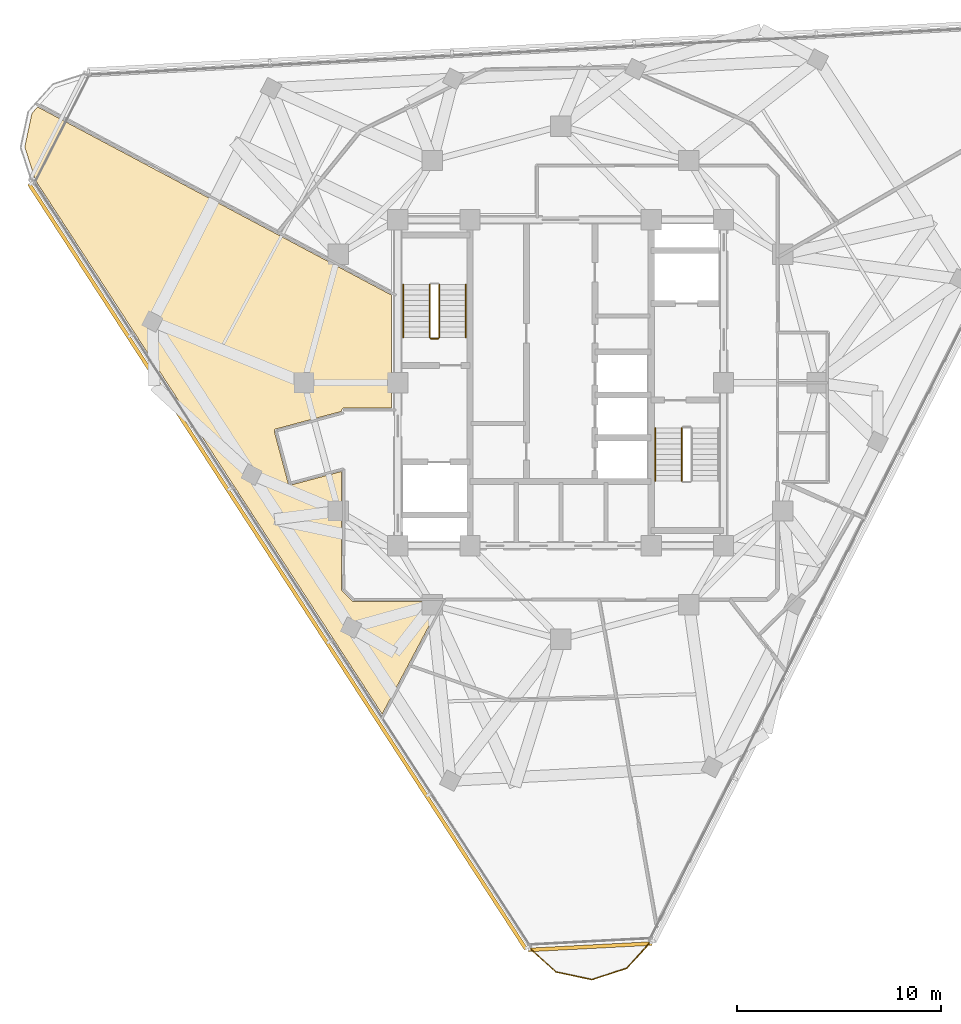
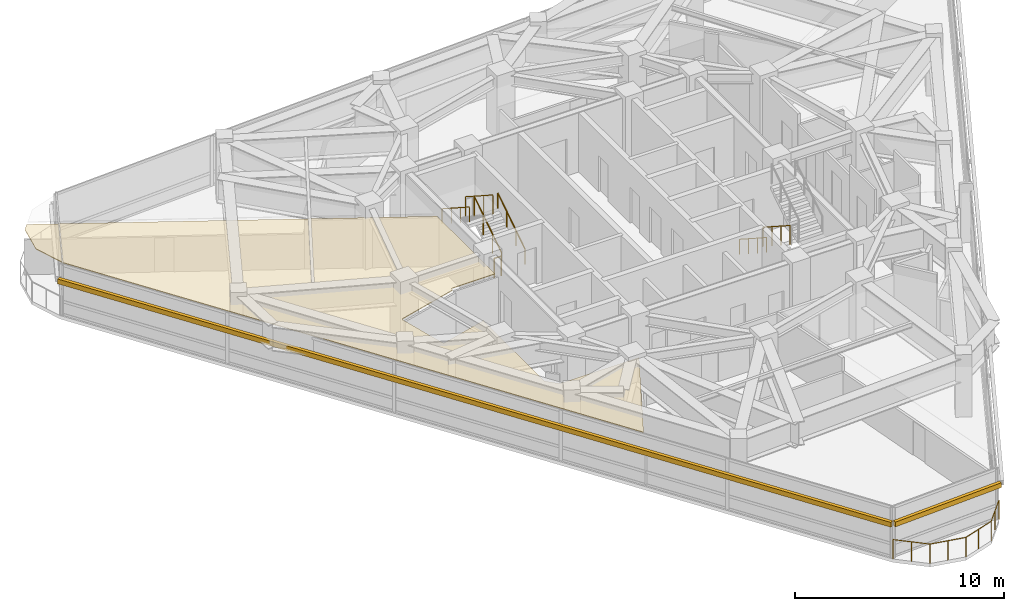
# One storey, part 12 of 15: 8 railings, 2 shading devices, 1 covering.
"""IFC4 building model written with IfcOpenShell, lengths in metres."""

import ifcopenshell
import ifcopenshell.guid

model = None  # the IFC model being written
_history = None  # IfcOwnerHistory: only IFC2X3 demands one
_inside = {}  # id of a spatial element -> (the spatial element, [elements in it])
_under = {}  # id of a project, library or spatial element -> (it, [spatial elements below it])
_declared = {}  # id of a project -> (the project, [libraries it declares])
_typed = {}  # id of a type object -> (the type object, [elements of that type])
_made_of = {}  # id of a material, layer set ... -> (it, [elements and type objects made of it])


def new_model(schema):
    """Start an empty IFC model of exactly this schema.

    Asked for "IFC4X3", IfcOpenShell would pick the latest addendum, in which some entities
    have other attributes; the version numbers below select the first issue.
    IFC2X3 requires an IfcOwnerHistory on every rooted entity: one is made here for all.
    """
    global model, _history
    if schema == "IFC4X3":
        model = ifcopenshell.file(schema_version=(4, 3, 0, 0))
    else:
        model = ifcopenshell.file(schema=schema)
    _inside.clear()
    _under.clear()
    _declared.clear()
    _typed.clear()
    _made_of.clear()
    _history = None
    if model.schema == "IFC2X3":
        org = make("IfcOrganization", Name="unknown")
        user = make(
            "IfcPersonAndOrganization",
            ThePerson=make("IfcPerson", FamilyName="unknown"),
            TheOrganization=org,
        )
        app = make(
            "IfcApplication",
            ApplicationDeveloper=org,
            Version="unknown",
            ApplicationFullName="unknown",
            ApplicationIdentifier="unknown",
        )
        _history = make(
            "IfcOwnerHistory",
            OwningUser=user,
            OwningApplication=app,
            ChangeAction="ADDED",
            CreationDate=0,
        )
    return model


def make(cls, **values):
    """One entity of the class cls with the attributes given. An attribute that is None is left unset."""
    return model.create_entity(
        cls, **{name: value for name, value in values.items() if value is not None}
    )


def rooted(cls, **values):
    """An entity with a GlobalId (a new one), such as an element, a storey or a relation."""
    return make(cls, GlobalId=ifcopenshell.guid.new(), OwnerHistory=_history, **values)


def si_unit(unit_type, name, prefix=None):
    """IfcSIUnit, for example si_unit("LENGTHUNIT", "METRE", prefix="MILLI")."""
    return make("IfcSIUnit", UnitType=unit_type, Prefix=prefix, Name=name)


def assignment(units):
    """IfcUnitAssignment: the units of a project."""
    return None if units is None else make("IfcUnitAssignment", Units=units)


def point(xyz):
    """IfcCartesianPoint."""
    return None if xyz is None else make("IfcCartesianPoint", Coordinates=xyz)


def direction(xyz):
    """IfcDirection."""
    return None if xyz is None else make("IfcDirection", DirectionRatios=xyz)


def frame(location, z_axis=None, x_axis=None):
    """IfcAxis2Placement3D, a coordinate frame: its origin and axes. An axis left out is left unset."""
    return make(
        "IfcAxis2Placement3D",
        Location=point(location),
        Axis=direction(z_axis),
        RefDirection=direction(x_axis),
    )


def frame_2d(location, x_axis=None):
    """IfcAxis2Placement2D, a coordinate frame in the plane: its origin and x axis."""
    return make(
        "IfcAxis2Placement2D", Location=point(location), RefDirection=direction(x_axis)
    )


def origin():
    """The frame at (0, 0, 0) with its axes left unset."""
    return frame((0.0, 0.0, 0.0))


def origin_2d():
    """The frame at (0, 0) in the plane with its x axis left unset."""
    return frame_2d((0.0, 0.0))


def place(relative_to, where):
    """IfcLocalPlacement: puts the frame where relative to a parent placement (None: the world)."""
    return make(
        "IfcLocalPlacement", PlacementRelTo=relative_to, RelativePlacement=where
    )


def context(
    kind, dimensions, precision=None, world=None, true_north=None, identifier=None
):
    """IfcGeometricRepresentationContext, for example the 3D "Model" context."""
    return make(
        "IfcGeometricRepresentationContext",
        ContextIdentifier=identifier,
        ContextType=kind,
        CoordinateSpaceDimension=dimensions,
        Precision=precision,
        WorldCoordinateSystem=world,
        TrueNorth=true_north,
    )


def subcontext(parent, identifier, kind, view, scale=None):
    """IfcGeometricRepresentationSubContext, for example "Body" below "Model"."""
    return make(
        "IfcGeometricRepresentationSubContext",
        ContextIdentifier=identifier,
        ContextType=kind,
        ParentContext=parent,
        TargetScale=scale,
        TargetView=view,
    )


def project(units=None, contexts=None):
    """IfcProject with its units and contexts."""
    return rooted(
        "IfcProject",
        Name="project",
        RepresentationContexts=contexts,
        UnitsInContext=assignment(units),
    )


def spatial(cls, under=None, at=None, **own):
    """A site, building, storey or space (cls), placed at a placement, below another one or the project."""
    s = rooted(cls, ObjectPlacement=at, **own)
    if under is not None:
        _under.setdefault(under.id(), (under, []))[1].append(s)
    return s


def polyline(points):
    """IfcPolyline through the points."""
    return make("IfcPolyline", Points=[point(p) for p in points])


def profile(cls, at=None, kind="AREA", **sizes):
    """A parametric profile (cls). Its sizes go by their IFC names, for example OverallWidth=200.0."""
    return make(cls, ProfileType=kind, Position=at, **sizes)


def rectangle(**sizes):
    """IfcRectangleProfileDef."""
    return profile("IfcRectangleProfileDef", **sizes)


def circle(**sizes):
    """IfcCircleProfileDef."""
    return profile("IfcCircleProfileDef", **sizes)


def outline(outer, holes=None, kind="AREA"):
    """IfcArbitraryClosedProfileDef: a profile drawn as a closed curve; with holes, ...WithVoids."""
    if holes is None:
        return make("IfcArbitraryClosedProfileDef", ProfileType=kind, OuterCurve=outer)
    return make(
        "IfcArbitraryProfileDefWithVoids",
        ProfileType=kind,
        OuterCurve=outer,
        InnerCurves=holes,
    )


def extrude(swept, where, along, depth):
    """IfcExtrudedAreaSolid: the profile swept, set in the frame where, extruded along a direction by depth."""
    return make(
        "IfcExtrudedAreaSolid",
        SweptArea=swept,
        Position=where,
        ExtrudedDirection=direction(along),
        Depth=depth,
    )


def shape(context_of_items, identifier, shape_type, items):
    """IfcShapeRepresentation: the items that make up one representation, for example the "Body"."""
    return make(
        "IfcShapeRepresentation",
        ContextOfItems=context_of_items,
        RepresentationIdentifier=identifier,
        RepresentationType=shape_type,
        Items=items,
    )


def material(Name=None, Category=None):
    """IfcMaterial."""
    return make("IfcMaterial", Name=Name, Category=Category)


def layer(
    of_material, thickness, ventilated=None, Name=None, Category=None, Priority=None
):
    """IfcMaterialLayer: one layer of a wall or slab, of a material (None: an air gap)."""
    return make(
        "IfcMaterialLayer",
        Material=of_material,
        LayerThickness=thickness,
        IsVentilated=ventilated,
        Name=Name,
        Category=Category,
        Priority=Priority,
    )


def layer_set(layers, Name=None):
    """IfcMaterialLayerSet."""
    return make("IfcMaterialLayerSet", MaterialLayers=layers, LayerSetName=Name)


def made_of(thing, what):
    """Note that an element or type object is made of a material, layer set ...; save() writes the relation."""
    if what is not None:
        _made_of.setdefault(what.id(), (what, []))[1].append(thing)
    return thing


def type_object(cls, material=None, **own):
    """A type object (cls), such as IfcWallType, which elements share."""
    return made_of(rooted(cls, **own), material)


def element(
    cls,
    number,
    at=None,
    inside=None,
    cuts=None,
    type_object=None,
    material=None,
    context=None,
    identifier="Body",
    shape_type=None,
    held_by="IfcProductDefinitionShape",
    body=None,
    shapes=None,
    **own,
):
    """One element of the class cls, such as IfcWall. Its Tag is "e" and its number.

    at: its placement. inside: the storey or other place that contains it. cuts: it is an
    opening in that element (IfcRelVoidsElement). A single representation is given by context,
    identifier, shape_type and body (its items); several are given by shapes. held_by: the class
    of the entity that holds the representations. save() writes the other relations.
    """
    e = rooted(cls, Tag="e%d" % number, ObjectPlacement=at, **own)
    if body is not None:
        shapes = [shape(context, identifier, shape_type, body)]
    if shapes is not None:
        e.Representation = make(held_by, Representations=shapes)
    if inside is not None:
        _inside.setdefault(inside.id(), (inside, []))[1].append(e)
    if cuts is not None:
        rooted(
            "IfcRelVoidsElement", RelatingBuildingElement=cuts, RelatedOpeningElement=e
        )
    if type_object is not None:
        _typed.setdefault(type_object.id(), (type_object, []))[1].append(e)
    return made_of(e, material)


def aggregate(whole, parts):
    """IfcRelAggregates: a whole, such as a stair, and the parts it consists of."""
    return rooted("IfcRelAggregates", RelatingObject=whole, RelatedObjects=parts)


def save(model, path):
    """Write the relations noted so far, then the file.

    IfcRelAggregates (storeys below a building ...), IfcRelContainedInSpatialStructure (elements
    in a storey), IfcRelDefinesByType, IfcRelAssociatesMaterial and IfcRelDeclares: one each for
    every whole, place, type object, material and project.
    """
    for whole, parts in _under.values():
        aggregate(whole, parts)
    for where, things in _inside.values():
        rooted(
            "IfcRelContainedInSpatialStructure",
            RelatedElements=things,
            RelatingStructure=where,
        )
    for kind, things in _typed.values():
        rooted("IfcRelDefinesByType", RelatedObjects=things, RelatingType=kind)
    for what, things in _made_of.values():
        rooted("IfcRelAssociatesMaterial", RelatedObjects=things, RelatingMaterial=what)
    for by, libraries in _declared.values():
        rooted("IfcRelDeclares", RelatingContext=by, RelatedDefinitions=libraries)
    model.write(path)


model = new_model("IFC4")

# Units and contexts
model_context = context("Model", 3, precision=1e-05, world=origin(), true_north=direction((0.0, 1.0)))
body_context = subcontext(model_context, "Body", "Model", "MODEL_VIEW")
ifc_project = project(units=[si_unit("LENGTHUNIT", "METRE"), si_unit("AREAUNIT", "SQUARE_METRE"), si_unit("VOLUMEUNIT", "CUBIC_METRE"), si_unit("PLANEANGLEUNIT", "RADIAN"), si_unit("MASSUNIT", "GRAM", prefix="KILO")], contexts=[model_context])

# Site, building, storey
site_placement = place(None, origin())
site = spatial("IfcSite", under=ifc_project, at=site_placement, CompositionType="ELEMENT")
building_placement = place(site_placement, origin())
building = spatial("IfcBuilding", under=site, at=building_placement, Name="Terralouvre Media Tower", CompositionType="ELEMENT")
storey_placement = place(building_placement, frame((0.0, 0.0, 274.39990234375)))
storey = spatial("IfcBuildingStorey", under=building, at=storey_placement, Name="L71", CompositionType="ELEMENT", Elevation=274.39990234375)

# Covering
ifc_material_1 = material(Name="Perforated aluminium acoustic ceiling baffle", Category="aluminium")
ifc_layer_1 = layer(ifc_material_1, 0.0400390625, Name="Perforated Acoustic Metal Tile Ceiling CL-AC1")
ifc_layer_set_1 = layer_set([ifc_layer_1], Name="Perforated aluminium acoustic ceiling baffle")
covering_type = type_object("IfcCoveringType", Name="Perforated Acoustic Metal Tile Ceiling CL-AC1", PredefinedType="CEILING", material=ifc_layer_set_1)
covering_placement = place(storey_placement, frame((0.0, 0.0, 2.940185546875), z_axis=(0.0, 0.0, 1.0), x_axis=(0.45399049974, 0.891006524188, 0.0)))
element("IfcCovering", 1, at=covering_placement, inside=storey, type_object=covering_type, Name="L71 Script Readout Seminar Room 1 Acoustic Ceiling", PredefinedType="CEILING", context=body_context, shape_type="SweptSolid", body=[
    extrude(outline(polyline([(-15.72705078125, 0.3740234375), (-12.224853515625, 0.313720703125), (-14.186279296875, 4.163330078125), (-14.1904296875, 4.17236328125), (-14.193603515625, 4.181640625), (-14.195556640625, 4.191162109375), (-14.197021484375, 4.200927734375), (-14.197265625, 4.210693359375), (-14.196533203125, 4.220458984375), (-14.19482421875, 4.230224609375), (-14.1923828125, 4.239501953125), (-13.973876953125, 4.912109375), (-13.97021484375, 4.92138671875), (-13.966064453125, 4.929931640625), (-13.960693359375, 4.9384765625), (-13.954833984375, 4.946044921875), (-13.947998046875, 4.953369140625), (-13.940673828125, 4.959716796875), (-13.9326171875, 4.96533203125), (-13.924072265625, 4.97021484375), (-8.760986328125, 7.60107421875), (-10.49365234375, 9.525146484375), (-10.5, 9.532958984375), (-10.50537109375, 9.541015625), (-10.510009765625, 9.5498046875), (-10.513671875, 9.558837890625), (-10.5166015625, 9.568115234375), (-10.518310546875, 9.577880859375), (-10.519287109375, 9.587646484375), (-10.519287109375, 9.597412109375), (-10.518310546875, 9.607177734375), (-10.516357421875, 9.61669921875), (-10.513427734375, 9.626220703125), (-10.509765625, 9.63525390625), (-10.5048828125, 9.643798828125), (-10.49951171875, 9.652099609375), (-10.4931640625, 9.65966796875), (-10.486328125, 9.66650390625), (-8.516357421875, 11.439208984375), (-8.5087890625, 11.4453125), (-8.50048828125, 11.45068359375), (-8.491943359375, 11.455322265625), (-8.482666015625, 11.458984375), (-8.473388671875, 11.4619140625), (-8.463623046875, 11.463623046875), (-8.453857421875, 11.464599609375), (-8.444091796875, 11.464599609375), (-8.434326171875, 11.463623046875), (-8.4248046875, 11.461669921875), (-8.415283203125, 11.458740234375), (-8.406494140625, 11.455078125), (-8.397705078125, 11.450439453125), (-8.3896484375, 11.44482421875), (-8.382080078125, 11.4384765625), (-8.375, 11.431640625), (-6.132568359375, 8.9404296875), (-6.083251953125, 8.96533203125), (-6.07421875, 8.969482421875), (-6.06494140625, 8.97265625), (-6.055419921875, 8.974853515625), (-6.045654296875, 8.97607421875), (-6.035888671875, 8.976318359375), (-6.026123046875, 8.9755859375), (-6.016357421875, 8.973876953125), (-6.007080078125, 8.971435546875), (-5.997802734375, 8.968017578125), (-5.989013671875, 8.963623046875), (-5.980712890625, 8.958251953125), (-5.972900390625, 8.952392578125), (-5.9658203125, 8.945556640625), (-5.959228515625, 8.938232421875), (-5.95361328125, 8.93017578125), (-5.94873046875, 8.921630859375), (-4.886474609375, 6.836669921875), (0.06298828125, 9.358642578125), (0.173828125, 15.713623046875), (0.40673828125, 29.028564453125), (-0.000244140625, 29.137451171875), (-1.635986328125, 28.698974609375), (-2.85546875, 27.479736328125), (-18.476806640625, 0.42236328125), (-15.72705078125, 0.3740234375)])), origin(), (0.0, 0.0, 1.0), 0.039794921875),
])

# Railings
ifc_material_2 = material(Name="Stainless steel 316 handrail and balustrade", Category="steel")
ifc_layer_2 = layer(ifc_material_2, 0.06005859375, Name="Roof Edge Safety Guardrail GR-ROOF1")
ifc_layer_set_2 = layer_set([ifc_layer_2], Name="Stainless steel 316 handrail and balustrade")
railing_type_1 = type_object("IfcRailingType", Name="Roof Edge Safety Guardrail GR-ROOF1", PredefinedType="GUARDRAIL", material=ifc_layer_set_2)
railing_1_placement = place(storey_placement, frame((-1.580810546875, -27.72119140625, 0.0)))
element("IfcRailing", 2, at=railing_1_placement, inside=storey, type_object=railing_type_1, Name="L71 Wind-Corner Perimeter Safety Guardrail C0", PredefinedType="GUARDRAIL", context=body_context, shape_type="SweptSolid", body=[
    extrude(circle(Radius=0.02099609375, at=origin_2d()), frame((0.0, 0.0, 1.12890625), z_axis=(0.743012566317, -0.66927746585, 0.0), x_axis=(0.66927746585, 0.743012566317, 0.0)), (0.0, 0.0, 1.0), 1.81103515625),
    extrude(circle(Radius=0.02099609375, at=origin_2d()), frame((1.345703125, -1.212158203125, 1.12890625), z_axis=(0.978122858597, -0.208028059382, 0.0), x_axis=(0.208028059382, 0.978122858597, 0.0)), (0.0, 0.0, 1.0), 1.810791015625),
    extrude(circle(Radius=0.02099609375, at=origin_2d()), frame((3.116943359375, -1.5888671875, 1.12890625), z_axis=(0.951016233487, 0.309140944625, 0.0), x_axis=(-0.309140944625, 0.951016233487, 0.0)), (0.0, 0.0, 1.0), 1.810791015625),
    extrude(circle(Radius=0.02099609375, at=origin_2d()), frame((4.839111328125, -1.029052734375, 1.12890625), z_axis=(0.668920042495, 0.74333436403, 0.0), x_axis=(-0.74333436403, 0.668920042495, 0.0)), (0.0, 0.0, 1.0), 1.81103515625),
    extrude(circle(Radius=0.01904296875, at=origin_2d()), origin(), (0.0, 0.0, 1.0), 1.10791015625),
    extrude(circle(Radius=0.01904296875, at=origin_2d()), frame((0.6728515625, -0.60595703125, 0.0)), (0.0, 0.0, 1.0), 1.10791015625),
    extrude(circle(Radius=0.01904296875, at=origin_2d()), frame((1.345703125, -1.212158203125, 0.0)), (0.0, 0.0, 1.0), 1.10791015625),
    extrude(circle(Radius=0.01904296875, at=origin_2d()), frame((2.2314453125, -1.400390625, 0.0)), (0.0, 0.0, 1.0), 1.10791015625),
    extrude(circle(Radius=0.01904296875, at=origin_2d()), frame((3.116943359375, -1.5888671875, 0.0)), (0.0, 0.0, 1.0), 1.10791015625),
    extrude(circle(Radius=0.01904296875, at=origin_2d()), frame((3.97802734375, -1.30908203125, 0.0)), (0.0, 0.0, 1.0), 1.10791015625),
    extrude(circle(Radius=0.01904296875, at=origin_2d()), frame((4.839111328125, -1.029052734375, 0.0)), (0.0, 0.0, 1.0), 1.10791015625),
    extrude(circle(Radius=0.01904296875, at=origin_2d()), frame((5.44482421875, -0.35595703125, 0.0)), (0.0, 0.0, 1.0), 1.10791015625),
    extrude(circle(Radius=0.01904296875, at=origin_2d()), frame((6.050537109375, 0.317138671875, 0.0)), (0.0, 0.0, 1.0), 1.10791015625),
])
ifc_material_3 = material(Name="Stainless steel 316 handrail and balustrade", Category="steel")
ifc_layer_3 = layer(ifc_material_3, 0.050048828125, Name="Stair Flight Wall Handrail HR-INT1")
ifc_layer_set_3 = layer_set([ifc_layer_3], Name="Stainless steel 316 handrail and balustrade")
railing_type_2 = type_object("IfcRailingType", Name="Stair Flight Wall Handrail HR-INT1", PredefinedType="HANDRAIL", material=ifc_layer_set_3)
railing_2_placement = place(storey_placement, frame((-4.64990234375, 2.219970703125, 0.168212890625)))
element("IfcRailing", 3, at=railing_2_placement, inside=storey, type_object=railing_type_2, Name="L71 ST-01 stair handrail 1", PredefinedType="HANDRAIL", context=body_context, shape_type="SweptSolid", body=[
    extrude(circle(Radius=0.02392578125, at=origin_2d()), frame((0.0, 0.0, 0.8759765625), z_axis=(0.0, 0.839648411786, 0.543130320075), x_axis=(-1.0, 0.0, 0.0)), (0.0, 0.0, 1.0), 3.0966796875),
    extrude(circle(Radius=0.02099609375, at=origin_2d()), origin(), (0.0, 0.0, 1.0), 0.851806640625),
    extrude(circle(Radius=0.02099609375, at=origin_2d()), frame((0.0, 0.86669921875, 0.560546875)), (0.0, 0.0, 1.0), 0.851806640625),
    extrude(circle(Radius=0.02099609375, at=origin_2d()), frame((0.0, 1.7333984375, 1.121337890625)), (0.0, 0.0, 1.0), 0.851806640625),
    extrude(circle(Radius=0.02099609375, at=origin_2d()), frame((0.0, 2.60009765625, 1.681884765625)), (0.0, 0.0, 1.0), 0.851806640625),
])
for number, where, name in (
    (4, (-7.72998046875, 4.820068359375, 2.018310546875), "L71 ST-01 stair handrail 2"),
    (5, (4.64990234375, -2.219970703125, 0.168212890625), "L71 ST-02 stair handrail 1"),
):
    element("IfcRailing", number, at=place(storey_placement, frame(where)), inside=storey, type_object=railing_type_2, Name=name, PredefinedType="HANDRAIL", context=body_context, shape_type="SweptSolid", body=[
        extrude(circle(Radius=0.02392578125, at=origin_2d()), frame((0.0, 0.0, 0.8759765625), z_axis=(0.0, -0.839648411786, 0.543130320075), x_axis=(1.0, 0.0, 0.0)), (0.0, 0.0, 1.0), 3.0966796875),
        extrude(circle(Radius=0.02099609375, at=origin_2d()), origin(), (0.0, 0.0, 1.0), 0.851806640625),
        extrude(circle(Radius=0.02099609375, at=origin_2d()), frame((0.0, -0.86669921875, 0.560546875)), (0.0, 0.0, 1.0), 0.851806640625),
        extrude(circle(Radius=0.02099609375, at=origin_2d()), frame((0.0, -1.7333984375, 1.121337890625)), (0.0, 0.0, 1.0), 0.851806640625),
        extrude(circle(Radius=0.02099609375, at=origin_2d()), frame((0.0, -2.60009765625, 1.681884765625)), (0.0, 0.0, 1.0), 0.851806640625),
    ])
ifc_material_4 = material(Name="Stainless steel 316 handrail and balustrade", Category="steel")
ifc_layer_4 = layer(ifc_material_4, 0.050048828125, Name="Stairwell Safety Guardrail GR-INT1")
ifc_layer_set_4 = layer_set([ifc_layer_4], Name="Stainless steel 316 handrail and balustrade")
railing_type_3 = type_object("IfcRailingType", Name="Stairwell Safety Guardrail GR-INT1", PredefinedType="GUARDRAIL", material=ifc_layer_set_4)
railing_3_placement = place(storey_placement, frame((-5.949951171875, 2.219970703125, 0.168212890625)))
element("IfcRailing", 6, at=railing_3_placement, inside=storey, type_object=railing_type_3, Name="L71 ST-01 stair guard 1", PredefinedType="GUARDRAIL", context=body_context, shape_type="SweptSolid", body=[
    extrude(circle(Radius=0.02392578125, at=origin_2d()), frame((0.0, 0.0, 1.1259765625), z_axis=(0.0, 0.839648411786, 0.543130320075), x_axis=(-1.0, 0.0, 0.0)), (0.0, 0.0, 1.0), 3.0966796875),
    extrude(circle(Radius=0.02099609375, at=origin_2d()), origin(), (0.0, 0.0, 1.0), 1.101806640625),
    extrude(circle(Radius=0.02099609375, at=origin_2d()), frame((0.0, 0.86669921875, 0.560546875)), (0.0, 0.0, 1.0), 1.101806640625),
    extrude(circle(Radius=0.02099609375, at=origin_2d()), frame((0.0, 1.7333984375, 1.121337890625)), (0.0, 0.0, 1.0), 1.101806640625),
    extrude(circle(Radius=0.02099609375, at=origin_2d()), frame((0.0, 2.60009765625, 1.681884765625)), (0.0, 0.0, 1.0), 1.101806640625),
])
railing_4_placement = place(storey_placement, frame((-6.429931640625, 4.820068359375, 2.018310546875)))
element("IfcRailing", 7, at=railing_4_placement, inside=storey, type_object=railing_type_3, Name="L71 ST-01 stair guard 3", PredefinedType="GUARDRAIL", context=body_context, shape_type="SweptSolid", body=[
    extrude(circle(Radius=0.02392578125, at=origin_2d()), frame((0.0, 0.0, 1.1259765625), z_axis=(0.0, -0.839648411786, 0.543130320075), x_axis=(1.0, 0.0, 0.0)), (0.0, 0.0, 1.0), 3.0966796875),
    extrude(circle(Radius=0.02099609375, at=origin_2d()), origin(), (0.0, 0.0, 1.0), 1.101806640625),
    extrude(circle(Radius=0.02099609375, at=origin_2d()), frame((0.0, -0.86669921875, 0.560546875)), (0.0, 0.0, 1.0), 1.101806640625),
    extrude(circle(Radius=0.02099609375, at=origin_2d()), frame((0.0, -1.7333984375, 1.121337890625)), (0.0, 0.0, 1.0), 1.101806640625),
    extrude(circle(Radius=0.02099609375, at=origin_2d()), frame((0.0, -2.60009765625, 1.681884765625)), (0.0, 0.0, 1.0), 1.101806640625),
])
railing_5_placement = place(storey_placement, frame((-6.0, 2.169921875, 0.0)))
element("IfcRailing", 8, at=railing_5_placement, inside=storey, type_object=railing_type_3, Name="L71 ST-01 stair guard 4", PredefinedType="GUARDRAIL", context=body_context, shape_type="SweptSolid", body=[
    extrude(circle(Radius=0.02392578125, at=origin_2d()), frame((0.0, 0.0, 1.1259765625), z_axis=(-1.0, 0.0, 0.0), x_axis=(0.0, -1.0, 0.0)), (0.0, 0.0, 1.0), 0.3798828125),
    extrude(circle(Radius=0.02099609375, at=origin_2d()), origin(), (0.0, 0.0, 1.0), 1.101806640625),
    extrude(circle(Radius=0.02099609375, at=origin_2d()), frame((-0.3798828125, 0.0, 0.0)), (0.0, 0.0, 1.0), 1.101806640625),
])
railing_6_placement = place(storey_placement, frame((5.949951171875, -2.219970703125, 0.168212890625)))
element("IfcRailing", 9, at=railing_6_placement, inside=storey, type_object=railing_type_3, Name="L71 ST-02 stair guard 1", PredefinedType="GUARDRAIL", context=body_context, shape_type="SweptSolid", body=[
    extrude(circle(Radius=0.02392578125, at=origin_2d()), frame((0.0, 0.0, 1.1259765625), z_axis=(0.0, -0.839648411786, 0.543130320075), x_axis=(1.0, 0.0, 0.0)), (0.0, 0.0, 1.0), 3.0966796875),
    extrude(circle(Radius=0.02099609375, at=origin_2d()), origin(), (0.0, 0.0, 1.0), 1.101806640625),
    extrude(circle(Radius=0.02099609375, at=origin_2d()), frame((0.0, -0.86669921875, 0.560546875)), (0.0, 0.0, 1.0), 1.101806640625),
    extrude(circle(Radius=0.02099609375, at=origin_2d()), frame((0.0, -1.7333984375, 1.121337890625)), (0.0, 0.0, 1.0), 1.101806640625),
    extrude(circle(Radius=0.02099609375, at=origin_2d()), frame((0.0, -2.60009765625, 1.681884765625)), (0.0, 0.0, 1.0), 1.101806640625),
])

# Shading devices
ifc_material_5 = material(Name="Extruded terracotta baguette sunshade louvres", Category="masonry")
shading_device_type = type_object("IfcShadingDeviceType", Name="Terracotta Baguette Sunshade Louvre Screen TB-LV1", PredefinedType="USERDEFINED", material=ifc_material_5)
shading_device_1_placement = place(storey_placement, frame((-13.89892578125, -9.026123046875, 1.99951171875), z_axis=(0.0, 0.0, 1.0), x_axis=(0.544639069077, -0.838670545826, 0.0)))
element("IfcShadingDevice", 10, at=shading_device_1_placement, inside=storey, type_object=shading_device_type, Name="CW-L71-F2 Terracotta Baguette Sunshade Louvre", ObjectType="BAGUETTE", PredefinedType="USERDEFINED", context=body_context, shape_type="SweptSolid", body=[
    extrude(rectangle(XDim=44.800048828125, YDim=0.179931640625, at=origin_2d()), origin(), (0.0, 0.0, 1.0), 0.280029296875),
])
shading_device_2_placement = place(storey_placement, frame((1.45166015625, -27.697265625, 1.99951171875), z_axis=(0.0, 0.0, 1.0), x_axis=(0.998629533744, 0.05233597552, 0.0)))
element("IfcShadingDevice", 11, at=shading_device_2_placement, inside=storey, type_object=shading_device_type, Name="CW-L71-C0 Terracotta Baguette Sunshade Louvre", ObjectType="BAGUETTE", PredefinedType="USERDEFINED", context=body_context, shape_type="SweptSolid", body=[
    extrude(rectangle(XDim=6.062255859375, YDim=0.179931640625, at=origin_2d()), origin(), (0.0, 0.0, 1.0), 0.280029296875),
])

save(model, "model.ifc")
